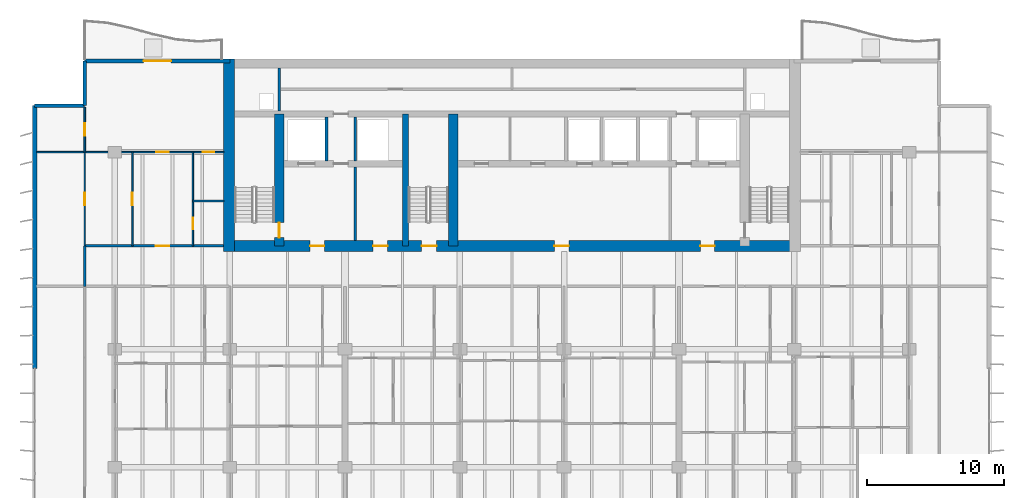
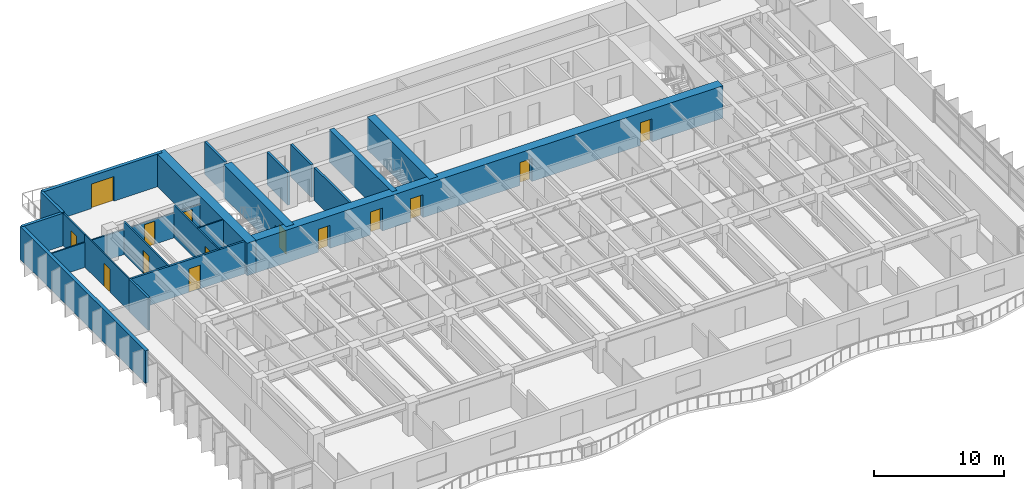
# One storey, part 9 of 15: 21 walls, 14 doors, 14 openings.
"""IFC4 building model written with IfcOpenShell, lengths in metres."""

from ifc_helpers import new_model, si_unit, direction, frame, frame_2d, origin, place, context, subcontext, project, spatial, rectangle, extrude, material, layer, layer_set, type_object, element, fill, save


model = new_model("IFC4")

# Units and contexts
model_context = context("Model", 3, precision=1e-05, world=origin(), true_north=direction((0.0, 1.0)))
body_context = subcontext(model_context, "Body", "Model", "MODEL_VIEW")
ifc_project = project(units=[si_unit("LENGTHUNIT", "METRE"), si_unit("AREAUNIT", "SQUARE_METRE"), si_unit("VOLUMEUNIT", "CUBIC_METRE"), si_unit("PLANEANGLEUNIT", "RADIAN"), si_unit("MASSUNIT", "GRAM", prefix="KILO")], contexts=[model_context])

# Site, building, storey
site_placement = place(None, origin())
site = spatial("IfcSite", under=ifc_project, at=site_placement, CompositionType="ELEMENT")
building_placement = place(site_placement, origin())
building = spatial("IfcBuilding", under=site, at=building_placement, Name="Caelmar Bay Residences", CompositionType="ELEMENT")
storey_placement = place(building_placement, frame((0.0, 0.0, 135.60009765625)))
storey = spatial("IfcBuildingStorey", under=building, at=storey_placement, Name="L37", CompositionType="ELEMENT", Elevation=135.60009765625)

# Wall, opening, door
ifc_material_1 = material(Name="Concrete f'c 55 MPa (8,000 psi)", Category="concrete")
ifc_layer_1 = layer(ifc_material_1, 0.699951171875)
ifc_layer_set_1 = layer_set([ifc_layer_1], Name="Concrete f'c 55 MPa (8,000 psi)")
wall_type_1 = type_object("IfcWallType", Name="SW-COR-700", PredefinedType="SHEAR", material=ifc_layer_set_1)
wall_1_placement = place(storey_placement, frame((21.89990234375, 36.949951171875, 0.0), z_axis=(0.0, 0.0, 1.0), x_axis=(0.0, 1.0, 0.0)))
wall_1 = element("IfcWall", 1, at=wall_1_placement, inside=storey, type_object=wall_type_1, Name="L37 Core Structural Web Wall ST1E", PredefinedType="SHEAR", context=body_context, shape_type="SweptSolid", body=[
    extrude(rectangle(XDim=9.625, YDim=0.699951171875, at=frame_2d((4.8125, 0.0))), origin(), (0.0, 0.0, 1.0), 3.0498046875),
])
opening_1_placement = place(wall_1_placement, frame((0.60009765625, 0.0, 0.0)))
opening_1 = element("IfcOpeningElement", 2, at=opening_1_placement, cuts=wall_1, Name="Opening D-L37-107", PredefinedType="OPENING", context=body_context, shape_type="SweptSolid", body=[
    extrude(rectangle(XDim=1.10009765625, YDim=2.14990234375, at=frame_2d((0.550048828125, 1.074951171875))), frame((0.0, 0.35986328125, 0.0), z_axis=(0.0, -1.0, 0.0), x_axis=(1.0, 0.0, 0.0)), (0.0, 0.0, 1.0), 0.719970703125),
])
ifc_material_2 = material(Name="Fire-rated steel and walnut architectural door assembly", Category="steel")
ifc_layer_2 = layer(ifc_material_2, 0.050048828125)
ifc_layer_set_2 = layer_set([ifc_layer_2], Name="Fire-rated steel and walnut architectural door assembly")
door_type_1 = type_object("IfcDoorType", Name="D-STAIR-1100", OperationType="NOTDEFINED", PredefinedType="DOOR", material=ifc_layer_set_2)
door_1_placement = place(opening_1_placement, origin())
door_1 = element("IfcDoor", 3, at=door_1_placement, inside=storey, type_object=door_type_1, Name="L37 Firefighting Lobby West Door", OperationType="SINGLE_SWING_RIGHT", OverallHeight=2.14990234375, OverallWidth=1.10009765625, PredefinedType="DOOR", context=body_context, shape_type="SweptSolid", body=[
    extrude(rectangle(XDim=1.10009765625, YDim=2.14990234375, at=frame_2d((0.550048828125, 1.074951171875))), frame((0.0, 0.02490234375, 0.0), z_axis=(0.0, -1.0, 0.0), x_axis=(1.0, 0.0, 0.0)), (0.0, 0.0, 1.0), 0.050048828125),
])
fill(opening_1, door_1)

# Wall
wall_2_placement = place(storey_placement, frame((34.60009765625, 36.949951171875, 0.0), z_axis=(0.0, 0.0, 1.0), x_axis=(0.0, 1.0, 0.0)))
element("IfcWall", 4, at=wall_2_placement, inside=storey, type_object=wall_type_1, Name="L37 Core Structural Web Wall ST3E", PredefinedType="SHEAR", context=body_context, shape_type="SweptSolid", body=[
    extrude(rectangle(XDim=9.625, YDim=0.699951171875, at=frame_2d((4.8125, 0.0))), origin(), (0.0, 0.0, 1.0), 3.0498046875),
])

# Wall, openings, doors
ifc_material_3 = material(Name="Concrete f'c 70 MPa (10,000 psi)", Category="concrete")
ifc_layer_3 = layer(ifc_material_3, 0.800048828125)
ifc_layer_set_3 = layer_set([ifc_layer_3], Name="Concrete f'c 70 MPa (10,000 psi)")
wall_type_2 = type_object("IfcWallType", Name="SW-COR-800", PredefinedType="SHEAR", material=ifc_layer_set_3)
wall_3_placement = place(storey_placement, frame((17.85009765625, 36.949951171875, 0.0), z_axis=(0.0, 0.0, 1.0), x_axis=(1.0, 0.0, 0.0)))
wall_3 = element("IfcWall", 5, at=wall_3_placement, inside=storey, type_object=wall_type_2, Name="L37 Rear Core South Shear Wall", PredefinedType="SHEAR", context=body_context, shape_type="SweptSolid", body=[
    extrude(rectangle(XDim=42.099853515625, YDim=0.800048828125, at=frame_2d((21.0498046875, 0.0))), origin(), (0.0, 0.0, 1.0), 3.0498046875),
])
opening_2_placement = place(wall_3_placement, frame((14.449951171875, 0.0, 0.0)))
opening_2 = element("IfcOpeningElement", 6, at=opening_2_placement, cuts=wall_3, Name="Opening D-L37-105", PredefinedType="OPENING", context=body_context, shape_type="SweptSolid", body=[
    extrude(rectangle(XDim=1.10009765625, YDim=2.14990234375, at=frame_2d((0.550048828125, 1.074951171875))), frame((0.0, 0.409912109375, 0.0), z_axis=(0.0, -1.0, 0.0), x_axis=(1.0, 0.0, 0.0)), (0.0, 0.0, 1.0), 0.820068359375),
])
opening_3_placement = place(wall_3_placement, frame((6.300048828125, 0.0, 0.0)))
opening_3 = element("IfcOpeningElement", 7, at=opening_3_placement, cuts=wall_3, Name="Opening D-L37-106", PredefinedType="OPENING", context=body_context, shape_type="SweptSolid", body=[
    extrude(rectangle(XDim=1.050048828125, YDim=2.14990234375, at=frame_2d((0.52490234375, 1.074951171875))), frame((0.0, 0.409912109375, 0.0), z_axis=(0.0, -1.0, 0.0), x_axis=(1.0, 0.0, 0.0)), (0.0, 0.0, 1.0), 0.820068359375),
])
opening_4_placement = place(wall_3_placement, frame((34.800048828125, 0.0, 0.0)))
opening_4 = element("IfcOpeningElement", 8, at=opening_4_placement, cuts=wall_3, Name="Opening D-L37-109", PredefinedType="OPENING", context=body_context, shape_type="SweptSolid", body=[
    extrude(rectangle(XDim=1.050048828125, YDim=2.14990234375, at=frame_2d((0.52490234375, 1.074951171875))), frame((0.0, 0.409912109375, 0.0), z_axis=(0.0, -1.0, 0.0), x_axis=(1.0, 0.0, 0.0)), (0.0, 0.0, 1.0), 0.820068359375),
])
opening_5_placement = place(wall_3_placement, frame((10.91259765625, 0.0, 0.0)))
opening_5 = element("IfcOpeningElement", 9, at=opening_5_placement, cuts=wall_3, Name="Opening D-L37-112", PredefinedType="OPENING", context=body_context, shape_type="SweptSolid", body=[
    extrude(rectangle(XDim=1.050048828125, YDim=2.14990234375, at=frame_2d((0.52490234375, 1.074951171875))), frame((0.0, 0.409912109375, 0.0), z_axis=(0.0, -1.0, 0.0), x_axis=(1.0, 0.0, 0.0)), (0.0, 0.0, 1.0), 0.820068359375),
])
opening_6_placement = place(wall_3_placement, frame((24.14990234375, 0.0, 0.0)))
opening_6 = element("IfcOpeningElement", 10, at=opening_6_placement, cuts=wall_3, Name="Opening D-L37-113", PredefinedType="OPENING", context=body_context, shape_type="SweptSolid", body=[
    extrude(rectangle(XDim=1.050048828125, YDim=2.14990234375, at=frame_2d((0.52490234375, 1.074951171875))), frame((0.0, 0.409912109375, 0.0), z_axis=(0.0, -1.0, 0.0), x_axis=(1.0, 0.0, 0.0)), (0.0, 0.0, 1.0), 0.820068359375),
])
ifc_layer_4 = layer(ifc_material_2, 0.050048828125)
ifc_layer_set_4 = layer_set([ifc_layer_4], Name="Fire-rated steel and walnut architectural door assembly")
door_type_2 = type_object("IfcDoorType", Name="D-FSAE-1050", OperationType="NOTDEFINED", PredefinedType="DOOR", material=ifc_layer_set_4)
door_2_placement = place(opening_3_placement, origin())
door_2 = element("IfcDoor", 11, at=door_2_placement, inside=storey, type_object=door_type_2, Name="L37 Firefighting Lobby West Door", OperationType="SINGLE_SWING_LEFT", OverallHeight=2.14990234375, OverallWidth=1.050048828125, PredefinedType="DOOR", context=body_context, shape_type="SweptSolid", body=[
    extrude(rectangle(XDim=1.050048828125, YDim=2.14990234375, at=frame_2d((0.52490234375, 1.074951171875))), frame((0.0, 0.02490234375, 0.0), z_axis=(0.0, -1.0, 0.0), x_axis=(1.0, 0.0, 0.0)), (0.0, 0.0, 1.0), 0.050048828125),
])
fill(opening_3, door_2)
door_3_placement = place(opening_4_placement, origin())
door_3 = element("IfcDoor", 12, at=door_3_placement, inside=storey, type_object=door_type_2, Name="L37 Firefighting Lobby East Door", OperationType="SINGLE_SWING_RIGHT", OverallHeight=2.14990234375, OverallWidth=1.050048828125, PredefinedType="DOOR", context=body_context, shape_type="SweptSolid", body=[
    extrude(rectangle(XDim=1.050048828125, YDim=2.14990234375, at=frame_2d((0.52490234375, 1.074951171875))), frame((0.0, 0.02490234375, 0.0), z_axis=(0.0, -1.0, 0.0), x_axis=(1.0, 0.0, 0.0)), (0.0, 0.0, 1.0), 0.050048828125),
])
fill(opening_4, door_3)
door_4_placement = place(opening_5_placement, origin())
door_4 = element("IfcDoor", 13, at=door_4_placement, inside=storey, type_object=door_type_2, Name="L37 West Lift Lobby Door", OperationType="SINGLE_SWING_LEFT", OverallHeight=2.14990234375, OverallWidth=1.050048828125, PredefinedType="DOOR", context=body_context, shape_type="SweptSolid", body=[
    extrude(rectangle(XDim=1.050048828125, YDim=2.14990234375, at=frame_2d((0.52490234375, 1.074951171875))), frame((0.0, 0.02490234375, 0.0), z_axis=(0.0, -1.0, 0.0), x_axis=(1.0, 0.0, 0.0)), (0.0, 0.0, 1.0), 0.050048828125),
])
fill(opening_5, door_4)
door_5_placement = place(opening_6_placement, origin())
door_5 = element("IfcDoor", 14, at=door_5_placement, inside=storey, type_object=door_type_2, Name="L37 Passenger Lift Lobby Door", OperationType="SINGLE_SWING_RIGHT", OverallHeight=2.14990234375, OverallWidth=1.050048828125, PredefinedType="DOOR", context=body_context, shape_type="SweptSolid", body=[
    extrude(rectangle(XDim=1.050048828125, YDim=2.14990234375, at=frame_2d((0.52490234375, 1.074951171875))), frame((0.0, 0.02490234375, 0.0), z_axis=(0.0, -1.0, 0.0), x_axis=(1.0, 0.0, 0.0)), (0.0, 0.0, 1.0), 0.050048828125),
])
fill(opening_6, door_5)
door_6_placement = place(opening_2_placement, origin())
door_6 = element("IfcDoor", 15, at=door_6_placement, inside=storey, type_object=door_type_1, Name="L37 Exit Stair ST3 Door", OperationType="SINGLE_SWING_RIGHT", OverallHeight=2.14990234375, OverallWidth=1.10009765625, PredefinedType="DOOR", context=body_context, shape_type="SweptSolid", body=[
    extrude(rectangle(XDim=1.10009765625, YDim=2.14990234375, at=frame_2d((0.550048828125, 1.074951171875))), frame((0.0, 0.02490234375, 0.0), z_axis=(0.0, -1.0, 0.0), x_axis=(1.0, 0.0, 0.0)), (0.0, 0.0, 1.0), 0.050048828125),
])
fill(opening_2, door_6)

# Walls
wall_4_placement = place(storey_placement, frame((18.25, 36.550048828125, 0.0), z_axis=(0.0, 0.0, 1.0), x_axis=(0.0, 1.0, 0.0)))
element("IfcWall", 16, at=wall_4_placement, inside=storey, type_object=wall_type_2, Name="L37 Rear Core West Shear Wall", PredefinedType="SHEAR", context=body_context, shape_type="SweptSolid", body=[
    extrude(rectangle(XDim=14.050048828125, YDim=0.800048828125, at=frame_2d((7.02490234375, 0.0))), origin(), (0.0, 0.0, 1.0), 3.0498046875),
])
ifc_layer_5 = layer(ifc_material_3, 0.449951171875)
ifc_layer_set_5 = layer_set([ifc_layer_5], Name="Concrete f'c 70 MPa (10,000 psi)")
wall_type_3 = type_object("IfcWallType", Name="SW-WEB-450", PredefinedType="SHEAR", material=ifc_layer_set_5)
wall_5_placement = place(storey_placement, frame((31.125, 36.949951171875, 0.0), z_axis=(0.0, 0.0, 1.0), x_axis=(0.0, 1.0, 0.0)))
element("IfcWall", 17, at=wall_5_placement, inside=storey, type_object=wall_type_3, Name="L37 Core Structural Web Wall ST3W", PredefinedType="SHEAR", context=body_context, shape_type="SweptSolid", body=[
    extrude(rectangle(XDim=9.625, YDim=0.449951171875, at=frame_2d((4.8125, 0.0))), origin(), (0.0, 0.0, 1.0), 3.0498046875),
])
ifc_material_4 = material(Name="Double-stud acoustic fire-rated gypsum partition 180 mm")
ifc_layer_6 = layer(ifc_material_4, 0.179931640625)
ifc_layer_set_6 = layer_set([ifc_layer_6], Name="Double-stud acoustic fire-rated gypsum partition 180 mm")
wall_type_4 = type_object("IfcWallType", Name="W-COR-200", PredefinedType="PARTITIONING", material=ifc_layer_set_6)
wall_6_placement = place(storey_placement, frame((7.699951171875, 34.0048828125, 0.0), z_axis=(0.0, 0.0, 1.0), x_axis=(0.0, 1.0, 0.0)))
element("IfcWall", 18, at=wall_6_placement, inside=storey, type_object=wall_type_4, Name="L37 Partition Wall V003", PredefinedType="PARTITIONING", context=body_context, shape_type="SweptSolid", body=[
    extrude(rectangle(XDim=2.945068359375, YDim=0.179931640625, at=frame_2d((1.47265625, 0.0))), origin(), (0.0, 0.0, 1.0), 3.0498046875),
])

# Wall, opening, door
wall_7_placement = place(storey_placement, frame((7.699951171875, 36.949951171875, 0.0), z_axis=(0.0, 0.0, 1.0), x_axis=(1.0, 0.0, 0.0)))
wall_7 = element("IfcWall", 19, at=wall_7_placement, inside=storey, type_object=wall_type_4, Name="L37 Partition Wall H098", PredefinedType="PARTITIONING", context=body_context, shape_type="SweptSolid", body=[
    extrude(rectangle(XDim=10.14501953125, YDim=0.179931640625, at=frame_2d((5.072509765625, 0.0))), origin(), (0.0, 0.0, 1.0), 3.0498046875),
])
opening_7_placement = place(wall_7_placement, frame((5.18798828125, 0.0, 0.0)))
opening_7 = element("IfcOpeningElement", 20, at=opening_7_placement, cuts=wall_7, Name="Opening D-L37-164", PredefinedType="OPENING", context=body_context, shape_type="SweptSolid", body=[
    extrude(rectangle(XDim=1.0, YDim=2.199951171875, at=frame_2d((0.5, 1.10009765625))), frame((0.0, 0.099853515625, 0.0), z_axis=(0.0, -1.0, 0.0), x_axis=(1.0, 0.0, 0.0)), (0.0, 0.0, 1.0), 0.199951171875),
])
ifc_layer_7 = layer(ifc_material_2, 0.050048828125)
ifc_layer_set_7 = layer_set([ifc_layer_7], Name="Fire-rated steel and walnut architectural door assembly")
door_type_3 = type_object("IfcDoorType", Name="D-UNIT-1000", OperationType="NOTDEFINED", PredefinedType="DOOR", material=ifc_layer_set_7)
door_7_placement = place(opening_7_placement, origin())
door_7 = element("IfcDoor", 21, at=door_7_placement, inside=storey, type_object=door_type_3, Name="L37 Residence WA Kitchen Door", OperationType="SINGLE_SWING_LEFT", OverallHeight=2.199951171875, OverallWidth=1.0, PredefinedType="DOOR", context=body_context, shape_type="SweptSolid", body=[
    extrude(rectangle(XDim=1.0, YDim=2.199951171875, at=frame_2d((0.5, 1.10009765625))), frame((0.0, 0.02490234375, 0.0), z_axis=(0.0, -1.0, 0.0), x_axis=(1.0, 0.0, 0.0)), (0.0, 0.0, 1.0), 0.050048828125),
])
fill(opening_7, door_7)

# Walls
ifc_material_5 = material(Name="Precast concrete f'c 40 MPa (6,000 psi)", Category="concrete")
ifc_layer_8 = layer(ifc_material_5, 0.25)
ifc_layer_set_8 = layer_set([ifc_layer_8], Name="Precast concrete f'c 40 MPa (6,000 psi)")
wall_type_5 = type_object("IfcWallType", Name="W-EXT-250", PredefinedType="ELEMENTEDWALL", material=ifc_layer_set_8)
wall_8_placement = place(storey_placement, frame((4.050048828125, 47.199951171875, 0.0), z_axis=(0.0, 0.0, 1.0), x_axis=(1.0, 0.0, 0.0)))
element("IfcWall", 22, at=wall_8_placement, inside=storey, type_object=wall_type_5, Name="L37 NNW-H Notch Wall", PredefinedType="ELEMENTEDWALL", context=body_context, shape_type="SweptSolid", body=[
    extrude(rectangle(XDim=3.64990234375, YDim=0.25, at=frame_2d((1.824951171875, 0.0))), origin(), (0.0, 0.0, 1.0), 3.0498046875),
])
wall_9_placement = place(storey_placement, frame((7.699951171875, 47.199951171875, 0.0), z_axis=(0.0, 0.0, 1.0), x_axis=(0.0, 1.0, 0.0)))
element("IfcWall", 23, at=wall_9_placement, inside=storey, type_object=wall_type_5, Name="L37 NNW-V Notch Wall", PredefinedType="ELEMENTEDWALL", context=body_context, shape_type="SweptSolid", body=[
    extrude(rectangle(XDim=3.25, YDim=0.25, at=frame_2d((1.625, 0.0))), origin(), (0.0, 0.0, 1.0), 3.0498046875),
])
ifc_layer_9 = layer(ifc_material_5, 0.300048828125)
ifc_layer_set_9 = layer_set([ifc_layer_9], Name="Precast concrete f'c 40 MPa (6,000 psi)")
wall_type_6 = type_object("IfcWallType", Name="W-EXT-300", PredefinedType="STANDARD", material=ifc_layer_set_9)
wall_10_placement = place(storey_placement, frame((4.050048828125, 28.0, 0.0), z_axis=(0.0, 0.0, 1.0), x_axis=(0.0, 1.0, 0.0)))
element("IfcWall", 24, at=wall_10_placement, inside=storey, type_object=wall_type_6, Name="L37 West Rear Exterior Wall", PredefinedType="STANDARD", context=body_context, shape_type="SweptSolid", body=[
    extrude(rectangle(XDim=19.199951171875, YDim=0.300048828125, at=frame_2d((9.60009765625, 0.0))), origin(), (0.0, 0.0, 1.0), 3.0498046875),
])

# Wall, opening, door
wall_11_placement = place(storey_placement, frame((7.699951171875, 50.449951171875, 0.0), z_axis=(0.0, 0.0, 1.0), x_axis=(1.0, 0.0, 0.0)))
wall_11 = element("IfcWall", 25, at=wall_11_placement, inside=storey, type_object=wall_type_6, Name="L37 North-West Wing Exterior Wall", PredefinedType="STANDARD", context=body_context, shape_type="SweptSolid", body=[
    extrude(rectangle(XDim=10.60009765625, YDim=0.300048828125, at=frame_2d((5.300048828125, 0.0))), origin(), (0.0, 0.0, 1.0), 3.0498046875),
])
opening_8_placement = place(wall_11_placement, frame((4.300048828125, 0.0, 0.0)))
opening_8 = element("IfcOpeningElement", 26, at=opening_8_placement, cuts=wall_11, Name="Opening L37-BDNW", PredefinedType="OPENING", context=body_context, shape_type="SweptSolid", body=[
    extrude(rectangle(XDim=2.0, YDim=2.300048828125, at=frame_2d((1.0, 1.14990234375))), frame((0.0, 0.159912109375, 0.0), z_axis=(0.0, -1.0, 0.0), x_axis=(1.0, 0.0, 0.0)), (0.0, 0.0, 1.0), 0.320068359375),
])
ifc_material_6 = material(Name="Anodised bronze thermally broken sliding glass door", Category="glass")
ifc_layer_10 = layer(ifc_material_6, 0.050048828125)
ifc_layer_set_10 = layer_set([ifc_layer_10], Name="Anodised bronze thermally broken sliding glass door")
door_type_4 = type_object("IfcDoorType", Name="D-BAL-2000", OperationType="DOUBLE_DOOR_SLIDING", PredefinedType="DOOR", material=ifc_layer_set_10)
door_8_placement = place(opening_8_placement, origin())
door_8 = element("IfcDoor", 27, at=door_8_placement, inside=storey, type_object=door_type_4, Name="L37 North-West Balcony Door", OperationType="DOUBLE_DOOR_SLIDING", OverallHeight=2.300048828125, OverallWidth=2.0, PredefinedType="DOOR", context=body_context, shape_type="SweptSolid", body=[
    extrude(rectangle(XDim=2.0, YDim=2.300048828125, at=frame_2d((1.0, 1.14990234375))), frame((0.0, 0.02490234375, 0.0), z_axis=(0.0, -1.0, 0.0), x_axis=(1.0, 0.0, 0.0)), (0.0, 0.0, 1.0), 0.050048828125),
])
fill(opening_8, door_8)

# Walls
ifc_material_7 = material(Name="Fire-rated masonry and gypsum shaftliner assembly 200 mm", Category="masonry")
ifc_layer_11 = layer(ifc_material_7, 0.199951171875)
ifc_layer_set_11 = layer_set([ifc_layer_11], Name="Fire-rated masonry and gypsum shaftliner assembly 200 mm")
wall_type_7 = type_object("IfcWallType", Name="W-FSAE-200", PredefinedType="PARTITIONING", material=ifc_layer_set_11)
wall_12_placement = place(storey_placement, frame((21.89990234375, 46.794921875, 0.0), z_axis=(0.0, 0.0, 1.0), x_axis=(0.0, 1.0, 0.0)))
element("IfcWall", 28, at=wall_12_placement, inside=storey, type_object=wall_type_7, Name="L37 Partition Wall V017", PredefinedType="PARTITIONING", context=body_context, shape_type="SweptSolid", body=[
    extrude(rectangle(XDim=3.16015625, YDim=0.199951171875, at=frame_2d((1.580078125, 0.0))), origin(), (0.0, 0.0, 1.0), 3.0498046875),
])
wall_13_placement = place(storey_placement, frame((25.35009765625, 43.169921875, 0.0), z_axis=(0.0, 0.0, 1.0), x_axis=(0.0, 1.0, 0.0)))
element("IfcWall", 29, at=wall_13_placement, inside=storey, type_object=wall_type_7, Name="L37 Partition Wall V020", PredefinedType="PARTITIONING", context=body_context, shape_type="SweptSolid", body=[
    extrude(rectangle(XDim=3.18505859375, YDim=0.199951171875, at=frame_2d((1.592529296875, 0.0))), origin(), (0.0, 0.0, 1.0), 3.0498046875),
])
wall_14_placement = place(storey_placement, frame((27.449951171875, 37.344970703125, 0.0), z_axis=(0.0, 0.0, 1.0), x_axis=(0.0, 1.0, 0.0)))
element("IfcWall", 30, at=wall_14_placement, inside=storey, type_object=wall_type_7, Name="L37 Partition Wall V024", PredefinedType="PARTITIONING", context=body_context, shape_type="SweptSolid", body=[
    extrude(rectangle(XDim=5.385009765625, YDim=0.199951171875, at=frame_2d((2.6923828125, 0.0))), origin(), (0.0, 0.0, 1.0), 3.0498046875),
])
wall_15_placement = place(storey_placement, frame((27.449951171875, 43.169921875, 0.0), z_axis=(0.0, 0.0, 1.0), x_axis=(0.0, 1.0, 0.0)))
element("IfcWall", 31, at=wall_15_placement, inside=storey, type_object=wall_type_7, Name="L37 Partition Wall V025", PredefinedType="PARTITIONING", context=body_context, shape_type="SweptSolid", body=[
    extrude(rectangle(XDim=3.18505859375, YDim=0.199951171875, at=frame_2d((1.592529296875, 0.0))), origin(), (0.0, 0.0, 1.0), 3.0498046875),
])

# Wall, opening, door
ifc_material_8 = material(Name="Anodised bronze framed acoustic sliding study partition 100 mm")
ifc_layer_12 = layer(ifc_material_8, 0.10009765625)
ifc_layer_set_12 = layer_set([ifc_layer_12], Name="Anodised bronze framed acoustic sliding study partition 100 mm")
wall_type_8 = type_object("IfcWallType", Name="W-MOV-100", PredefinedType="MOVABLE", material=ifc_layer_set_12)
wall_16_placement = place(storey_placement, frame((7.699951171875, 36.955078125, 0.0), z_axis=(0.0, 0.0, 1.0), x_axis=(0.0, 1.0, 0.0)))
wall_16 = element("IfcWall", 32, at=wall_16_placement, inside=storey, type_object=wall_type_8, Name="L37 Partition Wall V004", PredefinedType="MOVABLE", context=body_context, shape_type="SweptSolid", body=[
    extrude(rectangle(XDim=6.844970703125, YDim=0.10009765625, at=frame_2d((3.42236328125, 0.0))), origin(), (0.0, 0.0, 1.0), 3.0498046875),
])
opening_9_placement = place(wall_16_placement, frame((2.972412109375, 0.0, 0.0)))
opening_9 = element("IfcOpeningElement", 33, at=opening_9_placement, cuts=wall_16, Name="Opening D-L37-168", PredefinedType="OPENING", context=body_context, shape_type="SweptSolid", body=[
    extrude(rectangle(XDim=0.89990234375, YDim=2.14990234375, at=frame_2d((0.449951171875, 1.074951171875))), frame((0.0, 0.06005859375, 0.0), z_axis=(0.0, -1.0, 0.0), x_axis=(1.0, 0.0, 0.0)), (0.0, 0.0, 1.0), 0.1201171875),
])
ifc_material_9 = material(Name="Solid walnut timber interior door leaf and frame", Category="wood")
ifc_layer_13 = layer(ifc_material_9, 0.050048828125)
ifc_layer_set_13 = layer_set([ifc_layer_13], Name="Solid walnut timber interior door leaf and frame")
door_type_5 = type_object("IfcDoorType", Name="D-ROOM-900", OperationType="NOTDEFINED", PredefinedType="DOOR", material=ifc_layer_set_13)
door_9_placement = place(opening_9_placement, origin())
door_9 = element("IfcDoor", 34, at=door_9_placement, inside=storey, type_object=door_type_5, Name="L37 Residence WA Sun Study Door", OperationType="SINGLE_SWING_LEFT", OverallHeight=2.14990234375, OverallWidth=0.89990234375, PredefinedType="DOOR", context=body_context, shape_type="SweptSolid", body=[
    extrude(rectangle(XDim=0.89990234375, YDim=2.14990234375, at=frame_2d((0.449951171875, 1.074951171875))), frame((0.0, 0.02490234375, 0.0), z_axis=(0.0, -1.0, 0.0), x_axis=(1.0, 0.0, 0.0)), (0.0, 0.0, 1.0), 0.050048828125),
])
fill(opening_9, door_9)

ifc_material_10 = material(Name="Acoustic metal-stud gypsum partition 120 mm")
ifc_layer_14 = layer(ifc_material_10, 0.1201171875)
ifc_layer_set_14 = layer_set([ifc_layer_14], Name="Acoustic metal-stud gypsum partition 120 mm")
wall_type_9 = type_object("IfcWallType", Name="W-PRT-120", PredefinedType="PARTITIONING", material=ifc_layer_set_14)
wall_17_placement = place(storey_placement, frame((7.699951171875, 43.804931640625, 0.0), z_axis=(0.0, 0.0, 1.0), x_axis=(0.0, 1.0, 0.0)))
wall_17 = element("IfcWall", 35, at=wall_17_placement, inside=storey, type_object=wall_type_9, Name="L37 Partition Wall V005", PredefinedType="PARTITIONING", context=body_context, shape_type="SweptSolid", body=[
    extrude(rectangle(XDim=3.275146484375, YDim=0.1201171875, at=frame_2d((1.6376953125, 0.0))), origin(), (0.0, 0.0, 1.0), 3.0498046875),
])
opening_10_placement = place(wall_17_placement, frame((1.1875, 0.0, 0.0)))
opening_10 = element("IfcOpeningElement", 36, at=opening_10_placement, cuts=wall_17, Name="Opening D-L37-169", PredefinedType="OPENING", context=body_context, shape_type="SweptSolid", body=[
    extrude(rectangle(XDim=0.89990234375, YDim=2.14990234375, at=frame_2d((0.449951171875, 1.074951171875))), frame((0.0, 0.070068359375, 0.0), z_axis=(0.0, -1.0, 0.0), x_axis=(1.0, 0.0, 0.0)), (0.0, 0.0, 1.0), 0.14013671875),
])
door_10_placement = place(opening_10_placement, origin())
door_10 = element("IfcDoor", 37, at=door_10_placement, inside=storey, type_object=door_type_5, Name="L37 Residence WA North Sitting Alcove Door", OperationType="SINGLE_SWING_RIGHT", OverallHeight=2.14990234375, OverallWidth=0.89990234375, PredefinedType="DOOR", context=body_context, shape_type="SweptSolid", body=[
    extrude(rectangle(XDim=0.89990234375, YDim=2.14990234375, at=frame_2d((0.449951171875, 1.074951171875))), frame((0.0, 0.02490234375, 0.0), z_axis=(0.0, -1.0, 0.0), x_axis=(1.0, 0.0, 0.0)), (0.0, 0.0, 1.0), 0.050048828125),
])
fill(opening_10, door_10)

wall_18_placement = place(storey_placement, frame((11.176025390625, 36.949951171875, 0.0), z_axis=(0.0, 0.0, 1.0), x_axis=(0.0, 1.0, 0.0)))
wall_18 = element("IfcWall", 38, at=wall_18_placement, inside=storey, type_object=wall_type_9, Name="L37 Partition Wall V009", PredefinedType="PARTITIONING", context=body_context, shape_type="SweptSolid", body=[
    extrude(rectangle(XDim=6.85009765625, YDim=0.1201171875, at=frame_2d((3.425048828125, 0.0))), origin(), (0.0, 0.0, 1.0), 3.0498046875),
])
opening_11_placement = place(wall_18_placement, frame((2.97509765625, 0.0, 0.0)))
opening_11 = element("IfcOpeningElement", 39, at=opening_11_placement, cuts=wall_18, Name="Opening D-L37-163", PredefinedType="OPENING", context=body_context, shape_type="SweptSolid", body=[
    extrude(rectangle(XDim=0.89990234375, YDim=2.14990234375, at=frame_2d((0.449951171875, 1.074951171875))), frame((0.0, 0.070068359375, 0.0), z_axis=(0.0, -1.0, 0.0), x_axis=(1.0, 0.0, 0.0)), (0.0, 0.0, 1.0), 0.14013671875),
])
door_11_placement = place(opening_11_placement, origin())
door_11 = element("IfcDoor", 40, at=door_11_placement, inside=storey, type_object=door_type_5, Name="L37 Residence WA Dining Room Door", OperationType="SINGLE_SWING_RIGHT", OverallHeight=2.14990234375, OverallWidth=0.89990234375, PredefinedType="DOOR", context=body_context, shape_type="SweptSolid", body=[
    extrude(rectangle(XDim=0.89990234375, YDim=2.14990234375, at=frame_2d((0.449951171875, 1.074951171875))), frame((0.0, 0.02490234375, 0.0), z_axis=(0.0, -1.0, 0.0), x_axis=(1.0, 0.0, 0.0)), (0.0, 0.0, 1.0), 0.050048828125),
])
fill(opening_11, door_11)

wall_19_placement = place(storey_placement, frame((15.60009765625, 36.949951171875, 0.0), z_axis=(0.0, 0.0, 1.0), x_axis=(0.0, 1.0, 0.0)))
wall_19 = element("IfcWall", 41, at=wall_19_placement, inside=storey, type_object=wall_type_9, Name="L37 Partition Wall V011", PredefinedType="PARTITIONING", context=body_context, shape_type="SweptSolid", body=[
    extrude(rectangle(XDim=6.85009765625, YDim=0.1201171875, at=frame_2d((3.425048828125, 0.0))), origin(), (0.0, 0.0, 1.0), 3.0498046875),
])
opening_12_placement = place(wall_19_placement, frame((1.218994140625, 0.0, 0.0)))
opening_12 = element("IfcOpeningElement", 42, at=opening_12_placement, cuts=wall_19, Name="Opening D-L37-166", PredefinedType="OPENING", context=body_context, shape_type="SweptSolid", body=[
    extrude(rectangle(XDim=0.85009765625, YDim=2.10009765625, at=frame_2d((0.425048828125, 1.050048828125))), frame((0.0, 0.070068359375, 0.0), z_axis=(0.0, -1.0, 0.0), x_axis=(1.0, 0.0, 0.0)), (0.0, 0.0, 1.0), 0.14013671875),
])
ifc_layer_15 = layer(ifc_material_9, 0.050048828125)
ifc_layer_set_15 = layer_set([ifc_layer_15], Name="Solid walnut timber interior door leaf and frame")
door_type_6 = type_object("IfcDoorType", Name="D-BATH-850", OperationType="NOTDEFINED", PredefinedType="DOOR", material=ifc_layer_set_15)
door_12_placement = place(opening_12_placement, origin())
door_12 = element("IfcDoor", 43, at=door_12_placement, inside=storey, type_object=door_type_6, Name="L37 Residence WA Walk-In Closet Door", OperationType="SINGLE_SWING_LEFT", OverallHeight=2.10009765625, OverallWidth=0.85009765625, PredefinedType="DOOR", context=body_context, shape_type="SweptSolid", body=[
    extrude(rectangle(XDim=0.85009765625, YDim=2.10009765625, at=frame_2d((0.425048828125, 1.050048828125))), frame((0.0, 0.02490234375, 0.0), z_axis=(0.0, -1.0, 0.0), x_axis=(1.0, 0.0, 0.0)), (0.0, 0.0, 1.0), 0.050048828125),
])
fill(opening_12, door_12)

# Wall
wall_20_placement = place(storey_placement, frame((15.60009765625, 40.238037109375, 0.0), z_axis=(0.0, 0.0, 1.0), x_axis=(1.0, 0.0, 0.0)))
element("IfcWall", 44, at=wall_20_placement, inside=storey, type_object=wall_type_9, Name="L37 Partition Wall H100", PredefinedType="PARTITIONING", context=body_context, shape_type="SweptSolid", body=[
    extrude(rectangle(XDim=2.2548828125, YDim=0.1201171875, at=frame_2d((1.12744140625, 0.0))), origin(), (0.0, 0.0, 1.0), 3.0498046875),
])

# Wall, openings, doors
wall_21_placement = place(storey_placement, frame((4.195068359375, 43.800048828125, 0.0), z_axis=(0.0, 0.0, 1.0), x_axis=(1.0, 0.0, 0.0)))
wall_21 = element("IfcWall", 45, at=wall_21_placement, inside=storey, type_object=wall_type_9, Name="L37 Partition Wall H102", PredefinedType="PARTITIONING", context=body_context, shape_type="SweptSolid", body=[
    extrude(rectangle(XDim=13.659912109375, YDim=0.1201171875, at=frame_2d((6.830078125, 0.0))), origin(), (0.0, 0.0, 1.0), 2.3388671875),
])
opening_13_placement = place(wall_21_placement, frame((8.742919921875, 0.0, 0.0)))
opening_13 = element("IfcOpeningElement", 46, at=opening_13_placement, cuts=wall_21, Name="Opening D-L37-165", PredefinedType="OPENING", context=body_context, shape_type="SweptSolid", body=[
    extrude(rectangle(XDim=0.89990234375, YDim=2.14990234375, at=frame_2d((0.449951171875, 1.074951171875))), frame((0.0, 0.070068359375, 0.0), z_axis=(0.0, -1.0, 0.0), x_axis=(1.0, 0.0, 0.0)), (0.0, 0.0, 1.0), 0.14013671875),
])
opening_14_placement = place(wall_21_placement, frame((12.107421875, 0.0, 0.0)))
opening_14 = element("IfcOpeningElement", 47, at=opening_14_placement, cuts=wall_21, Name="Opening D-L37-167", PredefinedType="OPENING", context=body_context, shape_type="SweptSolid", body=[
    extrude(rectangle(XDim=0.85009765625, YDim=2.10009765625, at=frame_2d((0.425048828125, 1.050048828125))), frame((0.0, 0.070068359375, 0.0), z_axis=(0.0, -1.0, 0.0), x_axis=(1.0, 0.0, 0.0)), (0.0, 0.0, 1.0), 0.14013671875),
])
door_13_placement = place(opening_14_placement, origin())
door_13 = element("IfcDoor", 48, at=door_13_placement, inside=storey, type_object=door_type_6, Name="L37 Residence WA Bathroom Door", OperationType="SINGLE_SWING_RIGHT", OverallHeight=2.10009765625, OverallWidth=0.85009765625, PredefinedType="DOOR", context=body_context, shape_type="SweptSolid", body=[
    extrude(rectangle(XDim=0.85009765625, YDim=2.10009765625, at=frame_2d((0.425048828125, 1.050048828125))), frame((0.0, 0.02490234375, 0.0), z_axis=(0.0, -1.0, 0.0), x_axis=(1.0, 0.0, 0.0)), (0.0, 0.0, 1.0), 0.050048828125),
])
fill(opening_14, door_13)
door_14_placement = place(opening_13_placement, origin())
door_14 = element("IfcDoor", 49, at=door_14_placement, inside=storey, type_object=door_type_5, Name="L37 Residence WA Studio Living and Sleeping Room Door", OperationType="SINGLE_SWING_RIGHT", OverallHeight=2.14990234375, OverallWidth=0.89990234375, PredefinedType="DOOR", context=body_context, shape_type="SweptSolid", body=[
    extrude(rectangle(XDim=0.89990234375, YDim=2.14990234375, at=frame_2d((0.449951171875, 1.074951171875))), frame((0.0, 0.02490234375, 0.0), z_axis=(0.0, -1.0, 0.0), x_axis=(1.0, 0.0, 0.0)), (0.0, 0.0, 1.0), 0.050048828125),
])
fill(opening_13, door_14)

save(model, "model.ifc")
